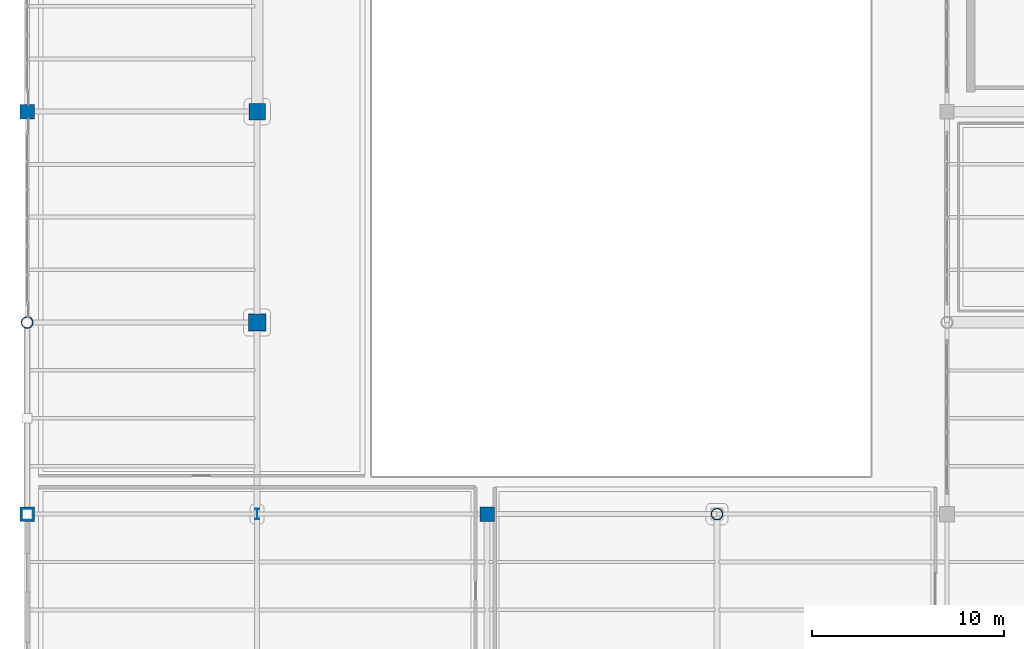
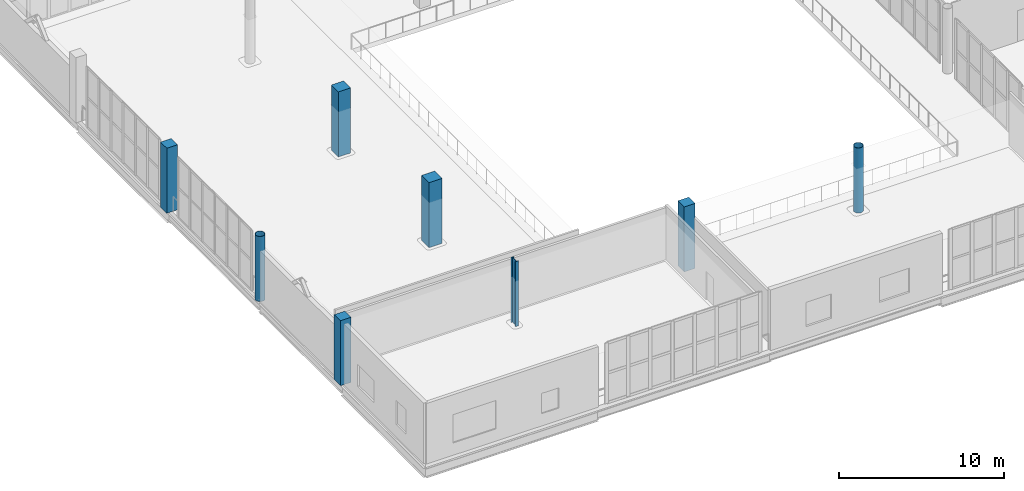
# One storey, part 1 of 136: 8 columns.
"""IFC4 building model written with IfcOpenShell, lengths in metres."""

from ifc_helpers import new_model, si_unit, direction, frame, origin, origin_2d, place, context, subcontext, project, spatial, rectangle, hollow_circle, i_section, extrude, material, material_profile, profile_set, type_object, element, save


model = new_model("IFC4")

# Units and contexts
model_context = context("Model", 3, precision=1e-05, world=origin(), true_north=direction((0.0, 1.0)))
body_context = subcontext(model_context, "Body", "Model", "MODEL_VIEW")
ifc_project = project(units=[si_unit("LENGTHUNIT", "METRE"), si_unit("AREAUNIT", "SQUARE_METRE"), si_unit("VOLUMEUNIT", "CUBIC_METRE"), si_unit("PLANEANGLEUNIT", "RADIAN"), si_unit("MASSUNIT", "GRAM", prefix="KILO")], contexts=[model_context])

# Site, building, storey
site_placement = place(None, origin())
site = spatial("IfcSite", under=ifc_project, at=site_placement, CompositionType="ELEMENT")
building_placement = place(site_placement, origin())
building = spatial("IfcBuilding", under=site, at=building_placement, Name="Brinegate Civic Arena", CompositionType="ELEMENT")
storey_placement = place(building_placement, frame((0.0, 0.0, 5.39990234375)))
storey = spatial("IfcBuildingStorey", under=building, at=storey_placement, Name="L01", CompositionType="ELEMENT", Elevation=5.39990234375)

# Columns
ifc_material_1 = material(Name="Concrete C50/60", Category="concrete")
ifc_material_profile_1 = material_profile(ifc_material_1, rectangle(XDim=0.89990234375, YDim=0.89990234375, at=origin_2d()), Name="RC900X900")
ifc_profile_set_1 = profile_set([ifc_material_profile_1], Name="Concrete C50/60")
column_type_1 = type_object("IfcColumnType", Name="COL-CC05-900", PredefinedType="COLUMN", material=ifc_profile_set_1)
column_1_placement = place(storey_placement, frame((12.0, 20.0, 0.0), z_axis=(0.0, 0.0, 1.0), x_axis=(1.0, 0.0, 0.0)))
element("IfcColumn", 1, at=column_1_placement, inside=storey, type_object=column_type_1, Name="Column COL-L01-2-C", PredefinedType="COLUMN", context=body_context, shape_type="SweptSolid", body=[
    extrude(rectangle(XDim=0.89990234375, YDim=0.89990234375, at=origin_2d()), origin(), (0.0, 0.0, 1.0), 4.800048828125),
])
ifc_material_profile_2 = material_profile(ifc_material_1, rectangle(XDim=0.85009765625, YDim=0.85009765625, at=origin_2d()), Name="RC850X850")
ifc_profile_set_2 = profile_set([ifc_material_profile_2], Name="Concrete C50/60")
column_type_2 = type_object("IfcColumnType", Name="COL-CC06-850", PredefinedType="COLUMN", material=ifc_profile_set_2)
column_2_placement = place(storey_placement, frame((12.0, 31.0, 0.0), z_axis=(0.0, 0.0, 1.0), x_axis=(1.0, 0.0, 0.0)))
element("IfcColumn", 2, at=column_2_placement, inside=storey, type_object=column_type_2, Name="Column COL-L01-2-D", PredefinedType="COLUMN", context=body_context, shape_type="SweptSolid", body=[
    extrude(rectangle(XDim=0.85009765625, YDim=0.85009765625, at=origin_2d()), origin(), (0.0, 0.0, 1.0), 4.800048828125),
])
ifc_material_profile_3 = material_profile(ifc_material_1, rectangle(XDim=0.75, YDim=0.75, at=origin_2d()), Name="RC750X750")
ifc_profile_set_3 = profile_set([ifc_material_profile_3], Name="Concrete C50/60")
column_type_3 = type_object("IfcColumnType", Name="COL-CC08-750", PredefinedType="COLUMN", material=ifc_profile_set_3)
for number, where, z_axis, x_axis, name in (
    (3, (0.0, 10.0, 0.0), (0.0, 0.0, 1.0), (1.0, 0.0, 0.0), "Column COL-L01-1-B"),
    (4, (0.0, 31.0, 0.0), (0.0, 0.0, 1.0), (1.0, 0.0, 0.0), "Column COL-L01-1-D"),
    (5, (24.0, 10.0, 0.0), (0.0, 0.0, 1.0), (1.0, 0.0, 0.0), "Column COL-L01-3-B"),
):
    element("IfcColumn", number, at=place(storey_placement, frame(where, z_axis=z_axis, x_axis=x_axis)), inside=storey, type_object=column_type_3, Name=name, PredefinedType="COLUMN", context=body_context, shape_type="SweptSolid", body=[
        extrude(rectangle(XDim=0.75, YDim=0.75, at=origin_2d()), origin(), (0.0, 0.0, 1.0), 4.800048828125),
    ])
ifc_material_2 = material(Name="Steel S355", Category="steel")
ifc_material_profile_4 = material_profile(ifc_material_2, i_section(OverallWidth=0.2119140625, OverallDepth=0.5439453125, WebThickness=0.012939453125, FlangeThickness=0.02099609375, FilletRadius=0.01611328125, at=origin_2d()), Name="W530X123")
ifc_profile_set_4 = profile_set([ifc_material_profile_4], Name="Steel S355")
column_type_4 = type_object("IfcColumnType", Name="COL-SC02-W530", PredefinedType="COLUMN", material=ifc_profile_set_4)
column_3_placement = place(storey_placement, frame((12.0, 10.0, 0.0), z_axis=(0.0, 0.0, 1.0), x_axis=(1.0, 0.0, 0.0)))
element("IfcColumn", 6, at=column_3_placement, inside=storey, type_object=column_type_4, Name="Column COL-L01-2-B", PredefinedType="COLUMN", context=body_context, shape_type="SweptSolid", body=[
    extrude(i_section(OverallWidth=0.2119140625, OverallDepth=0.5439453125, WebThickness=0.012939453125, FlangeThickness=0.02099609375, FilletRadius=0.01611328125, at=origin_2d()), origin(), (0.0, 0.0, 1.0), 4.800048828125),
])
ifc_material_profile_5 = material_profile(ifc_material_2, hollow_circle(Radius=0.304931640625, WallThickness=0.02490234375, at=origin_2d()), Name="CHS610X25")
ifc_profile_set_5 = profile_set([ifc_material_profile_5], Name="Steel S355")
column_type_5 = type_object("IfcColumnType", Name="COL-SC05-CHS610", PredefinedType="COLUMN", material=ifc_profile_set_5)
for number, where, z_axis, x_axis, name in (
    (7, (0.0, 20.0, 0.0), (0.0, 0.0, 1.0), (1.0, 0.0, 0.0), "Column COL-L01-1-C"),
    (8, (36.0, 10.0, 0.0), (0.0, 0.0, 1.0), (1.0, 0.0, 0.0), "Column COL-L01-4-B"),
):
    element("IfcColumn", number, at=place(storey_placement, frame(where, z_axis=z_axis, x_axis=x_axis)), inside=storey, type_object=column_type_5, Name=name, PredefinedType="COLUMN", context=body_context, shape_type="SweptSolid", body=[
        extrude(hollow_circle(Radius=0.304931640625, WallThickness=0.02490234375, at=origin_2d()), origin(), (0.0, 0.0, 1.0), 4.800048828125),
    ])

save(model, "model.ifc")
